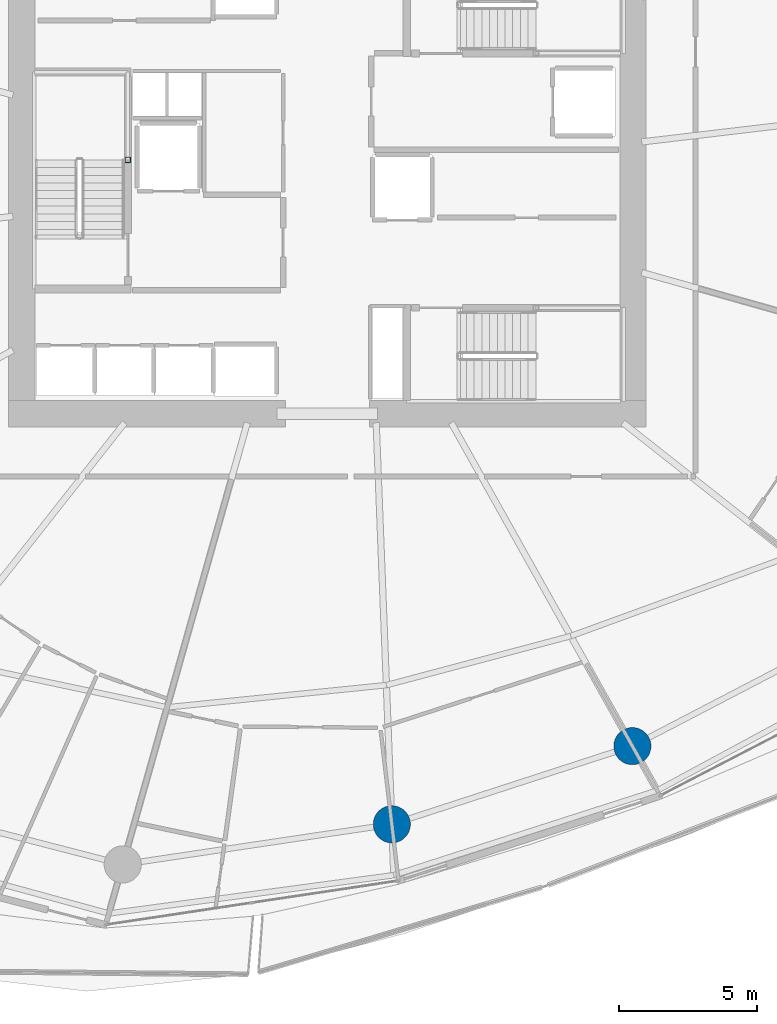
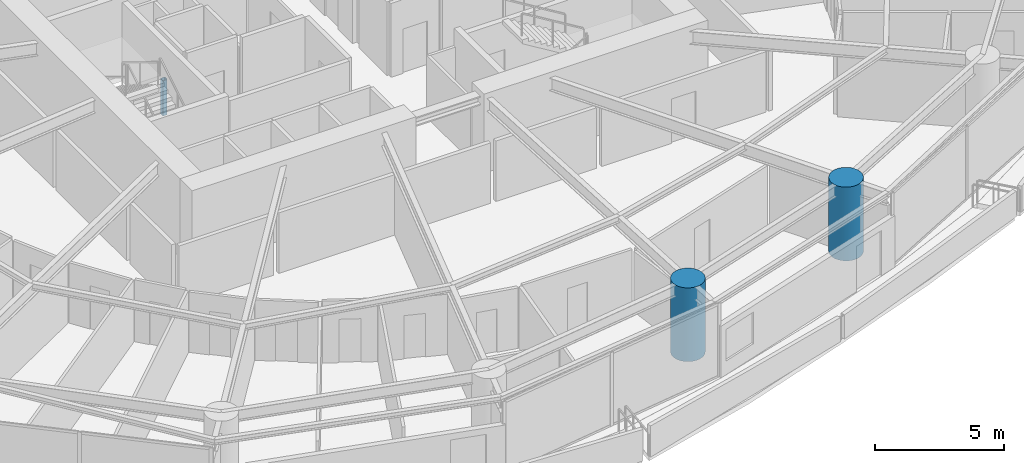
# One storey, part 2 of 30: 3 columns.
"""IFC4 building model written with IfcOpenShell, lengths in metres."""

from ifc_helpers import new_model, si_unit, direction, frame, origin, origin_2d, place, context, subcontext, project, spatial, hollow_rectangle, circle, extrude, material, material_profile, profile_set, type_object, element, save


model = new_model("IFC4")

# Units and contexts
model_context = context("Model", 3, precision=1e-05, world=origin(), true_north=direction((0.0, 1.0)))
body_context = subcontext(model_context, "Body", "Model", "MODEL_VIEW")
ifc_project = project(units=[si_unit("LENGTHUNIT", "METRE"), si_unit("AREAUNIT", "SQUARE_METRE"), si_unit("VOLUMEUNIT", "CUBIC_METRE"), si_unit("PLANEANGLEUNIT", "RADIAN"), si_unit("MASSUNIT", "GRAM", prefix="KILO")], contexts=[model_context])

# Site, building, storey
site_placement = place(None, origin())
site = spatial("IfcSite", under=ifc_project, at=site_placement, CompositionType="ELEMENT")
building_placement = place(site_placement, origin())
building = spatial("IfcBuilding", under=site, at=building_placement, Name="Kazma Halo Residences", CompositionType="ELEMENT")
storey_placement = place(building_placement, frame((0.0, 0.0, 56.39990234375)))
storey = spatial("IfcBuildingStorey", under=building, at=storey_placement, Name="L13", CompositionType="ELEMENT", Elevation=56.39990234375)

# Columns
ifc_material_1 = material(Name="Steel S355", Category="steel")
ifc_material_profile_1 = material_profile(ifc_material_1, hollow_rectangle(XDim=0.199951171875, YDim=0.199951171875, WallThickness=0.010009765625, InnerFilletRadius=0.010009765625, OuterFilletRadius=0.02001953125, at=origin_2d()), Name="SHS200x200x10")
ifc_profile_set_1 = profile_set([ifc_material_profile_1], Name="Steel S355")
column_type_1 = type_object("IfcColumnType", Name="COL-LP-SHS200", PredefinedType="COLUMN", material=ifc_profile_set_1)
column_placement = place(storey_placement, frame((41.179931640625, 42.75, 0.0), z_axis=(0.0, 0.0, 1.0), x_axis=(1.0, 0.0, 0.0)))
element("IfcColumn", 1, at=column_placement, inside=storey, type_object=column_type_1, Name="L13 ST-01 landing pilaster 1", PredefinedType="COLUMN", context=body_context, shape_type="SweptSolid", body=[
    extrude(hollow_rectangle(XDim=0.199951171875, YDim=0.199951171875, WallThickness=0.010009765625, InnerFilletRadius=0.010009765625, OuterFilletRadius=0.02001953125, at=origin_2d()), origin(), (0.0, 0.0, 1.0), 1.670166015625),
])
ifc_material_2 = material(Name="Concrete C80/95", Category="concrete")
ifc_material_profile_2 = material_profile(ifc_material_2, circle(Radius=0.675048828125, at=origin_2d()), Name="CIRC1350")
ifc_profile_set_2 = profile_set([ifc_material_profile_2], Name="Concrete C80/95")
column_type_2 = type_object("IfcColumnType", Name="COL-PERIM-1350", PredefinedType="COLUMN", material=ifc_profile_set_2)
for number, where, z_axis, x_axis, name in (
    (2, (50.768310546875, 18.610595703125, 0.0), (0.0, 0.0, 1.0), (1.0, 0.0, 0.0), "L13 perimeter ring column P12"),
    (3, (59.50830078125, 21.450439453125, 0.0), (0.0, 0.0, 1.0), (1.0, 0.0, 0.0), "L13 perimeter ring column P13"),
):
    element("IfcColumn", number, at=place(storey_placement, frame(where, z_axis=z_axis, x_axis=x_axis)), inside=storey, type_object=column_type_2, Name=name, PredefinedType="COLUMN", context=body_context, shape_type="SweptSolid", body=[
        extrude(circle(Radius=0.675048828125, at=origin_2d()), origin(), (0.0, 0.0, 1.0), 3.5),
    ])

save(model, "model.ifc")
